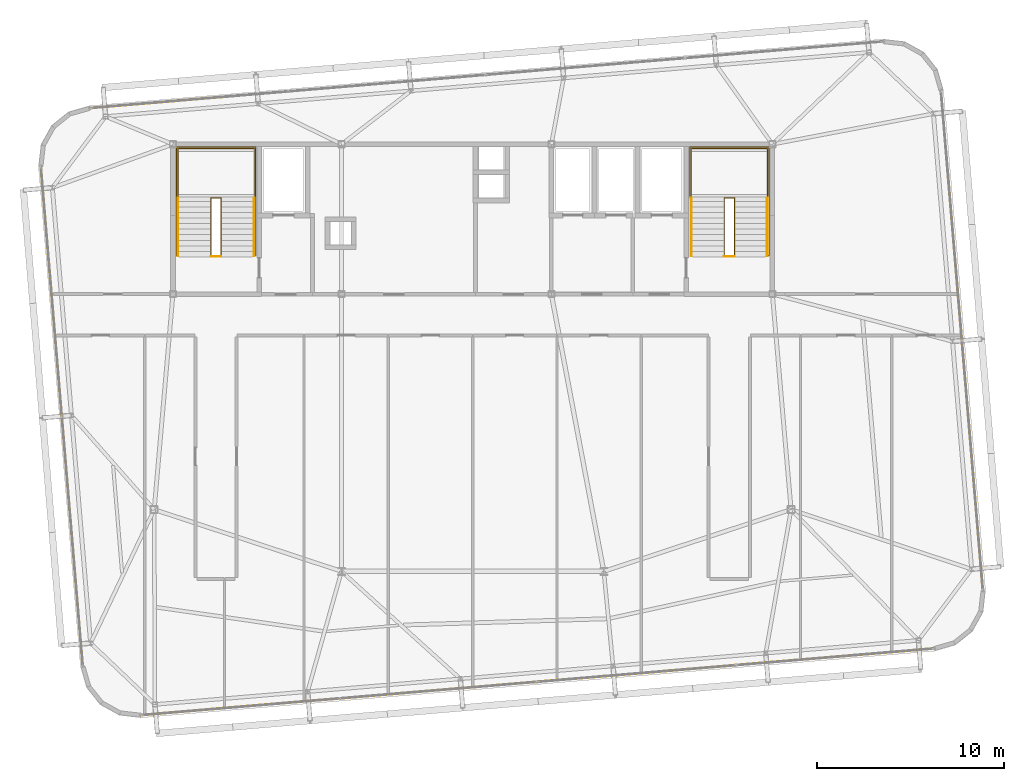
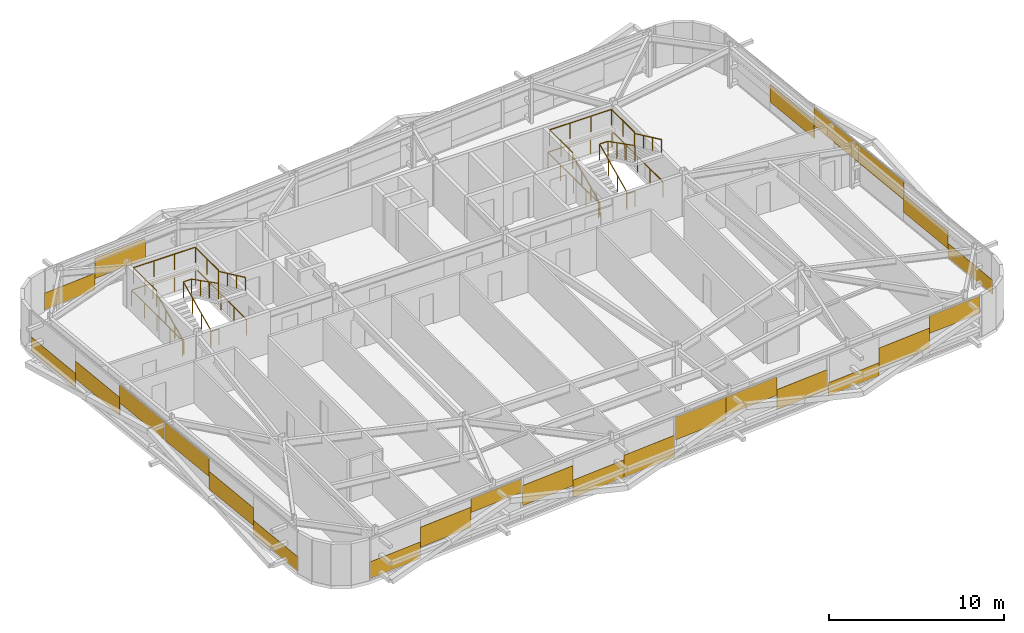
# One storey, part 38 of 39: 25 coverings, 12 railings.
"""IFC4 building model written with IfcOpenShell, lengths in metres."""

from ifc_helpers import new_model, si_unit, direction, frame, origin, origin_2d, place, context, subcontext, project, spatial, rectangle, extrude, source, transform, mapped, material, layer, layer_set, type_object, element, save


model = new_model("IFC4")

# Units and contexts
model_context = context("Model", 3, precision=1e-05, world=origin(), true_north=direction((0.0, 1.0)))
body_context = subcontext(model_context, "Body", "Model", "MODEL_VIEW")
ifc_project = project(units=[si_unit("LENGTHUNIT", "METRE"), si_unit("AREAUNIT", "SQUARE_METRE"), si_unit("VOLUMEUNIT", "CUBIC_METRE"), si_unit("PLANEANGLEUNIT", "RADIAN"), si_unit("MASSUNIT", "GRAM", prefix="KILO")], contexts=[model_context])

# Site, building, storey
site_placement = place(None, origin())
site = spatial("IfcSite", under=ifc_project, at=site_placement, CompositionType="ELEMENT")
building_placement = place(site_placement, origin())
building = spatial("IfcBuilding", under=site, at=building_placement, Name="Taldren Reach Tower", CompositionType="ELEMENT")
storey_placement = place(building_placement, frame((0.0, 0.0, 204.050048828125)))
storey = spatial("IfcBuildingStorey", under=building, at=storey_placement, Name="L62", CompositionType="ELEMENT", Elevation=204.050048828125)

# Railings
ifc_material_1 = material(Name="Steel Gr 350 (C350L0)", Category="steel")
ifc_layer_1 = layer(ifc_material_1, 0.050048828125)
ifc_layer_set_1 = layer_set([ifc_layer_1], Name="Steel Gr 350 (C350L0)")
railing_type_1 = type_object("IfcRailingType", Name="RL-STAIR-GR", PredefinedType="GUARDRAIL", material=ifc_layer_set_1)
railing_1_placement = place(storey_placement, frame((19.260009765625, 29.135009765625, 1.574951171875)))
element("IfcRailing", 1, at=railing_1_placement, inside=storey, type_object=railing_type_1, Name="Stair half-landing perimeter guard ST1-L62", PredefinedType="GUARDRAIL", context=body_context, shape_type="SweptSolid", body=[
    extrude(rectangle(XDim=0.047852, YDim=0.047852, at=origin_2d()), frame((0.0, 0.0, 1.09619140625), z_axis=(0.0, 1.0, 0.0), x_axis=(-1.0, 0.0, 0.0)), (0.0, 0.0, 1.0), 2.64501953125),
    extrude(rectangle(XDim=0.047852, YDim=0.047852, at=origin_2d()), frame((0.0, 2.64501953125, 1.09619140625), z_axis=(1.0, 0.0, 0.0), x_axis=(0.0, 1.0, 0.0)), (0.0, 0.0, 1.0), 4.080078125),
    extrude(rectangle(XDim=0.047852, YDim=0.047852, at=origin_2d()), frame((4.080078125, 2.64501953125, 1.09619140625), z_axis=(0.0, -1.0, 0.0), x_axis=(1.0, 0.0, 0.0)), (0.0, 0.0, 1.0), 2.64501953125),
    extrude(rectangle(XDim=0.041992, YDim=0.041992, at=origin_2d()), origin(), (0.0, 0.0, 1.0), 1.072021484375),
    extrude(rectangle(XDim=0.041992, YDim=0.041992, at=origin_2d()), frame((0.0, 1.322509765625, 0.0)), (0.0, 0.0, 1.0), 1.072021484375),
    extrude(rectangle(XDim=0.041992, YDim=0.041992, at=origin_2d()), frame((0.0, 2.64501953125, 0.0)), (0.0, 0.0, 1.0), 1.072021484375),
    extrude(rectangle(XDim=0.041992, YDim=0.041992, at=origin_2d()), frame((1.360107421875, 2.64501953125, 0.0)), (0.0, 0.0, 1.0), 1.072021484375),
    extrude(rectangle(XDim=0.041992, YDim=0.041992, at=origin_2d()), frame((2.719970703125, 2.64501953125, 0.0)), (0.0, 0.0, 1.0), 1.072021484375),
    extrude(rectangle(XDim=0.041992, YDim=0.041992, at=origin_2d()), frame((4.080078125, 2.64501953125, 0.0)), (0.0, 0.0, 1.0), 1.072021484375),
    extrude(rectangle(XDim=0.041992, YDim=0.041992, at=origin_2d()), frame((4.080078125, 1.322509765625, 0.0)), (0.0, 0.0, 1.0), 1.072021484375),
    extrude(rectangle(XDim=0.041992, YDim=0.041992, at=origin_2d()), frame((4.080078125, 0.0, 0.0)), (0.0, 0.0, 1.0), 1.072021484375),
])
railing_2_placement = place(storey_placement, frame((21.030029296875, 26.050048828125, 0.13134765625)))
element("IfcRailing", 2, at=railing_2_placement, inside=storey, type_object=railing_type_1, Name="Stairwell inner guard ST1-L62", PredefinedType="GUARDRAIL", context=body_context, shape_type="SweptSolid", body=[
    extrude(rectangle(XDim=0.047852, YDim=0.047852, at=origin_2d()), frame((0.0, 0.0, 1.09619140625), z_axis=(0.0, 0.905737652094, 0.423838773095), x_axis=(-1.0, 0.0, 0.0)), (0.0, 0.0, 1.0), 3.406005859375),
    extrude(rectangle(XDim=0.047852, YDim=0.047852, at=origin_2d()), frame((0.0, 3.0849609375, 2.53955078125), z_axis=(1.0, 0.0, 0.0), x_axis=(0.0, 1.0, 0.0)), (0.0, 0.0, 1.0), 0.5400390625),
    extrude(rectangle(XDim=0.047852, YDim=0.047852, at=origin_2d()), frame((0.5400390625, 3.0849609375, 2.53955078125), z_axis=(0.0, -0.890645957773, 0.45469745755), x_axis=(1.0, 0.0, 0.0)), (0.0, 0.0, 1.0), 3.463623046875),
    extrude(rectangle(XDim=0.041992, YDim=0.041992, at=origin_2d()), origin(), (0.0, 0.0, 1.0), 1.072021484375),
    extrude(rectangle(XDim=0.041992, YDim=0.041992, at=origin_2d()), frame((0.0, 1.0283203125, 0.481201171875)), (0.0, 0.0, 1.0), 1.072021484375),
    extrude(rectangle(XDim=0.041992, YDim=0.041992, at=origin_2d()), frame((0.0, 2.056640625, 0.96240234375)), (0.0, 0.0, 1.0), 1.072021484375),
    extrude(rectangle(XDim=0.041992, YDim=0.041992, at=origin_2d()), frame((0.0, 3.0849609375, 1.443603515625)), (0.0, 0.0, 1.0), 1.072021484375),
    extrude(rectangle(XDim=0.041992, YDim=0.041992, at=origin_2d()), frame((0.5400390625, 3.0849609375, 1.443603515625)), (0.0, 0.0, 1.0), 1.072021484375),
    extrude(rectangle(XDim=0.041992, YDim=0.041992, at=origin_2d()), frame((0.5400390625, 2.056640625, 1.968505859375)), (0.0, 0.0, 1.0), 1.072021484375),
    extrude(rectangle(XDim=0.041992, YDim=0.041992, at=origin_2d()), frame((0.5400390625, 1.0283203125, 2.49365234375)), (0.0, 0.0, 1.0), 1.072021484375),
    extrude(rectangle(XDim=0.041992, YDim=0.041992, at=origin_2d()), frame((0.5400390625, 0.0, 3.0185546875)), (0.0, 0.0, 1.0), 1.072021484375),
])
railing_3_placement = place(storey_placement, frame((21.030029296875, 26.010009765625, 0.0)))
element("IfcRailing", 3, at=railing_3_placement, inside=storey, type_object=railing_type_1, Name="Stairwell landing slot guard ST1-L62", PredefinedType="GUARDRAIL", context=body_context, shape_type="SweptSolid", body=[
    extrude(rectangle(XDim=0.047852, YDim=0.047852, at=origin_2d()), frame((0.0, 0.0, 1.09619140625), z_axis=(1.0, 0.0, 0.0), x_axis=(0.0, 1.0, 0.0)), (0.0, 0.0, 1.0), 0.5400390625),
    extrude(rectangle(XDim=0.041992, YDim=0.041992, at=origin_2d()), origin(), (0.0, 0.0, 1.0), 1.072021484375),
    extrude(rectangle(XDim=0.041992, YDim=0.041992, at=origin_2d()), frame((0.5400390625, 0.0, 0.0)), (0.0, 0.0, 1.0), 1.072021484375),
])
railing_4_placement = place(storey_placement, frame((19.18994140625, 26.050048828125, 0.0)))
element("IfcRailing", 4, at=railing_4_placement, inside=storey, type_object=railing_type_1, Name="Stairwell floor opening guard ST1-L62", PredefinedType="GUARDRAIL", context=body_context, shape_type="SweptSolid", body=[
    extrude(rectangle(XDim=0.047852, YDim=0.047852, at=origin_2d()), frame((0.0, 0.0, 1.09619140625), z_axis=(0.0, 1.0, 0.0), x_axis=(-1.0, 0.0, 0.0)), (0.0, 0.0, 1.0), 5.800048828125),
    extrude(rectangle(XDim=0.047852, YDim=0.047852, at=origin_2d()), frame((0.0, 5.800048828125, 1.09619140625), z_axis=(1.0, 0.0, 0.0), x_axis=(0.0, 1.0, 0.0)), (0.0, 0.0, 1.0), 4.219970703125),
    extrude(rectangle(XDim=0.047852, YDim=0.047852, at=origin_2d()), frame((4.219970703125, 5.800048828125, 1.09619140625), z_axis=(0.0, -1.0, 0.0), x_axis=(1.0, 0.0, 0.0)), (0.0, 0.0, 1.0), 5.800048828125),
    extrude(rectangle(XDim=0.041992, YDim=0.041992, at=origin_2d()), origin(), (0.0, 0.0, 1.0), 1.072021484375),
    extrude(rectangle(XDim=0.041992, YDim=0.041992, at=origin_2d()), frame((0.0, 1.449951171875, 0.0)), (0.0, 0.0, 1.0), 1.072021484375),
    extrude(rectangle(XDim=0.041992, YDim=0.041992, at=origin_2d()), frame((0.0, 2.89990234375, 0.0)), (0.0, 0.0, 1.0), 1.072021484375),
    extrude(rectangle(XDim=0.041992, YDim=0.041992, at=origin_2d()), frame((0.0, 4.35009765625, 0.0)), (0.0, 0.0, 1.0), 1.072021484375),
    extrude(rectangle(XDim=0.041992, YDim=0.041992, at=origin_2d()), frame((0.0, 5.800048828125, 0.0)), (0.0, 0.0, 1.0), 1.072021484375),
    extrude(rectangle(XDim=0.041992, YDim=0.041992, at=origin_2d()), frame((1.40673828125, 5.800048828125, 0.0)), (0.0, 0.0, 1.0), 1.072021484375),
    extrude(rectangle(XDim=0.041992, YDim=0.041992, at=origin_2d()), frame((2.813232421875, 5.800048828125, 0.0)), (0.0, 0.0, 1.0), 1.072021484375),
    extrude(rectangle(XDim=0.041992, YDim=0.041992, at=origin_2d()), frame((4.219970703125, 5.800048828125, 0.0)), (0.0, 0.0, 1.0), 1.072021484375),
    extrude(rectangle(XDim=0.041992, YDim=0.041992, at=origin_2d()), frame((4.219970703125, 4.35009765625, 0.0)), (0.0, 0.0, 1.0), 1.072021484375),
    extrude(rectangle(XDim=0.041992, YDim=0.041992, at=origin_2d()), frame((4.219970703125, 2.89990234375, 0.0)), (0.0, 0.0, 1.0), 1.072021484375),
    extrude(rectangle(XDim=0.041992, YDim=0.041992, at=origin_2d()), frame((4.219970703125, 1.449951171875, 0.0)), (0.0, 0.0, 1.0), 1.072021484375),
    extrude(rectangle(XDim=0.041992, YDim=0.041992, at=origin_2d()), frame((4.219970703125, 0.0, 0.0)), (0.0, 0.0, 1.0), 1.072021484375),
])
railing_5_placement = place(storey_placement, frame((46.659912109375, 29.135009765625, 1.574951171875)))
element("IfcRailing", 5, at=railing_5_placement, inside=storey, type_object=railing_type_1, Name="Stair half-landing perimeter guard ST2-L62", PredefinedType="GUARDRAIL", context=body_context, shape_type="SweptSolid", body=[
    extrude(rectangle(XDim=0.047852, YDim=0.047852, at=origin_2d()), frame((0.0, 0.0, 1.09619140625), z_axis=(0.0, 1.0, 0.0), x_axis=(-1.0, 0.0, 0.0)), (0.0, 0.0, 1.0), 2.64501953125),
    extrude(rectangle(XDim=0.047852, YDim=0.047852, at=origin_2d()), frame((0.0, 2.64501953125, 1.09619140625), z_axis=(1.0, 0.0, 0.0), x_axis=(0.0, 1.0, 0.0)), (0.0, 0.0, 1.0), 4.080078125),
    extrude(rectangle(XDim=0.047852, YDim=0.047852, at=origin_2d()), frame((4.080078125, 2.64501953125, 1.09619140625), z_axis=(0.0, -1.0, 0.0), x_axis=(1.0, 0.0, 0.0)), (0.0, 0.0, 1.0), 2.64501953125),
    extrude(rectangle(XDim=0.041992, YDim=0.041992, at=origin_2d()), origin(), (0.0, 0.0, 1.0), 1.072021484375),
    extrude(rectangle(XDim=0.041992, YDim=0.041992, at=origin_2d()), frame((0.0, 1.322509765625, 0.0)), (0.0, 0.0, 1.0), 1.072021484375),
    extrude(rectangle(XDim=0.041992, YDim=0.041992, at=origin_2d()), frame((0.0, 2.64501953125, 0.0)), (0.0, 0.0, 1.0), 1.072021484375),
    extrude(rectangle(XDim=0.041992, YDim=0.041992, at=origin_2d()), frame((1.360107421875, 2.64501953125, 0.0)), (0.0, 0.0, 1.0), 1.072021484375),
    extrude(rectangle(XDim=0.041992, YDim=0.041992, at=origin_2d()), frame((2.719970703125, 2.64501953125, 0.0)), (0.0, 0.0, 1.0), 1.072021484375),
    extrude(rectangle(XDim=0.041992, YDim=0.041992, at=origin_2d()), frame((4.080078125, 2.64501953125, 0.0)), (0.0, 0.0, 1.0), 1.072021484375),
    extrude(rectangle(XDim=0.041992, YDim=0.041992, at=origin_2d()), frame((4.080078125, 1.322509765625, 0.0)), (0.0, 0.0, 1.0), 1.072021484375),
    extrude(rectangle(XDim=0.041992, YDim=0.041992, at=origin_2d()), frame((4.080078125, 0.0, 0.0)), (0.0, 0.0, 1.0), 1.072021484375),
])
railing_6_placement = place(storey_placement, frame((48.429931640625, 26.050048828125, 0.13134765625)))
element("IfcRailing", 6, at=railing_6_placement, inside=storey, type_object=railing_type_1, Name="Stairwell inner guard ST2-L62", PredefinedType="GUARDRAIL", context=body_context, shape_type="SweptSolid", body=[
    extrude(rectangle(XDim=0.047852, YDim=0.047852, at=origin_2d()), frame((0.0, 0.0, 1.09619140625), z_axis=(0.0, 0.905737652094, 0.423838773095), x_axis=(-1.0, 0.0, 0.0)), (0.0, 0.0, 1.0), 3.406005859375),
    extrude(rectangle(XDim=0.047852, YDim=0.047852, at=origin_2d()), frame((0.0, 3.0849609375, 2.53955078125), z_axis=(1.0, 0.0, 0.0), x_axis=(0.0, 1.0, 0.0)), (0.0, 0.0, 1.0), 0.5400390625),
    extrude(rectangle(XDim=0.047852, YDim=0.047852, at=origin_2d()), frame((0.5400390625, 3.0849609375, 2.53955078125), z_axis=(0.0, -0.890645957773, 0.45469745755), x_axis=(1.0, 0.0, 0.0)), (0.0, 0.0, 1.0), 3.463623046875),
    extrude(rectangle(XDim=0.041992, YDim=0.041992, at=origin_2d()), origin(), (0.0, 0.0, 1.0), 1.072021484375),
    extrude(rectangle(XDim=0.041992, YDim=0.041992, at=origin_2d()), frame((0.0, 1.0283203125, 0.481201171875)), (0.0, 0.0, 1.0), 1.072021484375),
    extrude(rectangle(XDim=0.041992, YDim=0.041992, at=origin_2d()), frame((0.0, 2.056640625, 0.96240234375)), (0.0, 0.0, 1.0), 1.072021484375),
    extrude(rectangle(XDim=0.041992, YDim=0.041992, at=origin_2d()), frame((0.0, 3.0849609375, 1.443603515625)), (0.0, 0.0, 1.0), 1.072021484375),
    extrude(rectangle(XDim=0.041992, YDim=0.041992, at=origin_2d()), frame((0.5400390625, 3.0849609375, 1.443603515625)), (0.0, 0.0, 1.0), 1.072021484375),
    extrude(rectangle(XDim=0.041992, YDim=0.041992, at=origin_2d()), frame((0.5400390625, 2.056640625, 1.968505859375)), (0.0, 0.0, 1.0), 1.072021484375),
    extrude(rectangle(XDim=0.041992, YDim=0.041992, at=origin_2d()), frame((0.5400390625, 1.0283203125, 2.49365234375)), (0.0, 0.0, 1.0), 1.072021484375),
    extrude(rectangle(XDim=0.041992, YDim=0.041992, at=origin_2d()), frame((0.5400390625, 0.0, 3.0185546875)), (0.0, 0.0, 1.0), 1.072021484375),
])
railing_7_placement = place(storey_placement, frame((48.429931640625, 26.010009765625, 0.0)))
element("IfcRailing", 7, at=railing_7_placement, inside=storey, type_object=railing_type_1, Name="Stairwell landing slot guard ST2-L62", PredefinedType="GUARDRAIL", context=body_context, shape_type="SweptSolid", body=[
    extrude(rectangle(XDim=0.047852, YDim=0.047852, at=origin_2d()), frame((0.0, 0.0, 1.09619140625), z_axis=(1.0, 0.0, 0.0), x_axis=(0.0, 1.0, 0.0)), (0.0, 0.0, 1.0), 0.5400390625),
    extrude(rectangle(XDim=0.041992, YDim=0.041992, at=origin_2d()), origin(), (0.0, 0.0, 1.0), 1.072021484375),
    extrude(rectangle(XDim=0.041992, YDim=0.041992, at=origin_2d()), frame((0.5400390625, 0.0, 0.0)), (0.0, 0.0, 1.0), 1.072021484375),
])
railing_8_placement = place(storey_placement, frame((46.590087890625, 26.050048828125, 0.0)))
element("IfcRailing", 8, at=railing_8_placement, inside=storey, type_object=railing_type_1, Name="Stairwell floor opening guard ST2-L62", PredefinedType="GUARDRAIL", context=body_context, shape_type="SweptSolid", body=[
    extrude(rectangle(XDim=0.047852, YDim=0.047852, at=origin_2d()), frame((0.0, 0.0, 1.09619140625), z_axis=(0.0, 1.0, 0.0), x_axis=(-1.0, 0.0, 0.0)), (0.0, 0.0, 1.0), 5.800048828125),
    extrude(rectangle(XDim=0.047852, YDim=0.047852, at=origin_2d()), frame((0.0, 5.800048828125, 1.09619140625), z_axis=(1.0, 0.0, 0.0), x_axis=(0.0, 1.0, 0.0)), (0.0, 0.0, 1.0), 4.219970703125),
    extrude(rectangle(XDim=0.047852, YDim=0.047852, at=origin_2d()), frame((4.219970703125, 5.800048828125, 1.09619140625), z_axis=(0.0, -1.0, 0.0), x_axis=(1.0, 0.0, 0.0)), (0.0, 0.0, 1.0), 5.800048828125),
    extrude(rectangle(XDim=0.041992, YDim=0.041992, at=origin_2d()), origin(), (0.0, 0.0, 1.0), 1.072021484375),
    extrude(rectangle(XDim=0.041992, YDim=0.041992, at=origin_2d()), frame((0.0, 1.449951171875, 0.0)), (0.0, 0.0, 1.0), 1.072021484375),
    extrude(rectangle(XDim=0.041992, YDim=0.041992, at=origin_2d()), frame((0.0, 2.89990234375, 0.0)), (0.0, 0.0, 1.0), 1.072021484375),
    extrude(rectangle(XDim=0.041992, YDim=0.041992, at=origin_2d()), frame((0.0, 4.35009765625, 0.0)), (0.0, 0.0, 1.0), 1.072021484375),
    extrude(rectangle(XDim=0.041992, YDim=0.041992, at=origin_2d()), frame((0.0, 5.800048828125, 0.0)), (0.0, 0.0, 1.0), 1.072021484375),
    extrude(rectangle(XDim=0.041992, YDim=0.041992, at=origin_2d()), frame((1.40673828125, 5.800048828125, 0.0)), (0.0, 0.0, 1.0), 1.072021484375),
    extrude(rectangle(XDim=0.041992, YDim=0.041992, at=origin_2d()), frame((2.813232421875, 5.800048828125, 0.0)), (0.0, 0.0, 1.0), 1.072021484375),
    extrude(rectangle(XDim=0.041992, YDim=0.041992, at=origin_2d()), frame((4.219970703125, 5.800048828125, 0.0)), (0.0, 0.0, 1.0), 1.072021484375),
    extrude(rectangle(XDim=0.041992, YDim=0.041992, at=origin_2d()), frame((4.219970703125, 4.35009765625, 0.0)), (0.0, 0.0, 1.0), 1.072021484375),
    extrude(rectangle(XDim=0.041992, YDim=0.041992, at=origin_2d()), frame((4.219970703125, 2.89990234375, 0.0)), (0.0, 0.0, 1.0), 1.072021484375),
    extrude(rectangle(XDim=0.041992, YDim=0.041992, at=origin_2d()), frame((4.219970703125, 1.449951171875, 0.0)), (0.0, 0.0, 1.0), 1.072021484375),
    extrude(rectangle(XDim=0.041992, YDim=0.041992, at=origin_2d()), frame((4.219970703125, 0.0, 0.0)), (0.0, 0.0, 1.0), 1.072021484375),
])
ifc_material_2 = material(Name="Stainless Steel Gr 316", Category="steel")
ifc_layer_2 = layer(ifc_material_2, 0.048095703125)
ifc_layer_set_2 = layer_set([ifc_layer_2], Name="Stainless Steel Gr 316")
railing_type_2 = type_object("IfcRailingType", Name="RL-STAIR-HR", PredefinedType="HANDRAIL", material=ifc_layer_set_2)
railing_9_placement = place(storey_placement, frame((19.27001953125, 26.050048828125, 0.13134765625)))
element("IfcRailing", 9, at=railing_9_placement, inside=storey, type_object=railing_type_2, Name="Stair flight handrail ST1-L62-1", PredefinedType="HANDRAIL", context=body_context, shape_type="SweptSolid", body=[
    extrude(rectangle(XDim=0.047852, YDim=0.047852, at=origin_2d()), frame((0.0, 0.0, 0.89599609375), z_axis=(0.0, 0.905737652094, 0.423838773095), x_axis=(-1.0, 0.0, 0.0)), (0.0, 0.0, 1.0), 3.406005859375),
    extrude(rectangle(XDim=0.041992, YDim=0.041992, at=origin_2d()), origin(), (0.0, 0.0, 1.0), 0.871826171875),
    extrude(rectangle(XDim=0.041992, YDim=0.041992, at=origin_2d()), frame((0.0, 1.0283203125, 0.481201171875)), (0.0, 0.0, 1.0), 0.871826171875),
    extrude(rectangle(XDim=0.041992, YDim=0.041992, at=origin_2d()), frame((0.0, 2.056640625, 0.96240234375)), (0.0, 0.0, 1.0), 0.871826171875),
    extrude(rectangle(XDim=0.041992, YDim=0.041992, at=origin_2d()), frame((0.0, 3.0849609375, 1.443603515625)), (0.0, 0.0, 1.0), 0.871826171875),
])
railing_10_placement = place(storey_placement, frame((23.330078125, 29.135009765625, 1.7060546875)))
element("IfcRailing", 10, at=railing_10_placement, inside=storey, type_object=railing_type_2, Name="Stair flight handrail ST1-L62-2", PredefinedType="HANDRAIL", context=body_context, shape_type="SweptSolid", body=[
    extrude(rectangle(XDim=0.047852, YDim=0.047852, at=origin_2d()), frame((0.0, 0.0, 0.89599609375), z_axis=(0.0, -0.905710134349, 0.423897573167), x_axis=(1.0, 0.0, 0.0)), (0.0, 0.0, 1.0), 3.406005859375),
    extrude(rectangle(XDim=0.041992, YDim=0.041992, at=origin_2d()), origin(), (0.0, 0.0, 1.0), 0.871826171875),
    extrude(rectangle(XDim=0.041992, YDim=0.041992, at=origin_2d()), frame((0.0, -1.0283203125, 0.481201171875)), (0.0, 0.0, 1.0), 0.871826171875),
    extrude(rectangle(XDim=0.041992, YDim=0.041992, at=origin_2d()), frame((0.0, -2.056640625, 0.962646484375)), (0.0, 0.0, 1.0), 0.871826171875),
    extrude(rectangle(XDim=0.041992, YDim=0.041992, at=origin_2d()), frame((0.0, -3.0849609375, 1.44384765625)), (0.0, 0.0, 1.0), 0.871826171875),
])
railing_11_placement = place(storey_placement, frame((46.669921875, 26.050048828125, 0.13134765625)))
element("IfcRailing", 11, at=railing_11_placement, inside=storey, type_object=railing_type_2, Name="Stair flight handrail ST2-L62-1", PredefinedType="HANDRAIL", context=body_context, shape_type="SweptSolid", body=[
    extrude(rectangle(XDim=0.047852, YDim=0.047852, at=origin_2d()), frame((0.0, 0.0, 0.89599609375), z_axis=(0.0, 0.905737652094, 0.423838773095), x_axis=(-1.0, 0.0, 0.0)), (0.0, 0.0, 1.0), 3.406005859375),
    extrude(rectangle(XDim=0.041992, YDim=0.041992, at=origin_2d()), origin(), (0.0, 0.0, 1.0), 0.871826171875),
    extrude(rectangle(XDim=0.041992, YDim=0.041992, at=origin_2d()), frame((0.0, 1.0283203125, 0.481201171875)), (0.0, 0.0, 1.0), 0.871826171875),
    extrude(rectangle(XDim=0.041992, YDim=0.041992, at=origin_2d()), frame((0.0, 2.056640625, 0.96240234375)), (0.0, 0.0, 1.0), 0.871826171875),
    extrude(rectangle(XDim=0.041992, YDim=0.041992, at=origin_2d()), frame((0.0, 3.0849609375, 1.443603515625)), (0.0, 0.0, 1.0), 0.871826171875),
])
railing_12_placement = place(storey_placement, frame((50.72998046875, 29.135009765625, 1.7060546875)))
element("IfcRailing", 12, at=railing_12_placement, inside=storey, type_object=railing_type_2, Name="Stair flight handrail ST2-L62-2", PredefinedType="HANDRAIL", context=body_context, shape_type="SweptSolid", body=[
    extrude(rectangle(XDim=0.047852, YDim=0.047852, at=origin_2d()), frame((0.0, 0.0, 0.89599609375), z_axis=(0.0, -0.905710134349, 0.423897573167), x_axis=(1.0, 0.0, 0.0)), (0.0, 0.0, 1.0), 3.406005859375),
    extrude(rectangle(XDim=0.041992, YDim=0.041992, at=origin_2d()), origin(), (0.0, 0.0, 1.0), 0.871826171875),
    extrude(rectangle(XDim=0.041992, YDim=0.041992, at=origin_2d()), frame((0.0, -1.0283203125, 0.481201171875)), (0.0, 0.0, 1.0), 0.871826171875),
    extrude(rectangle(XDim=0.041992, YDim=0.041992, at=origin_2d()), frame((0.0, -2.056640625, 0.962646484375)), (0.0, 0.0, 1.0), 0.871826171875),
    extrude(rectangle(XDim=0.041992, YDim=0.041992, at=origin_2d()), frame((0.0, -3.0849609375, 1.44384765625)), (0.0, 0.0, 1.0), 0.871826171875),
])

# Coverings
ifc_material_3 = material(Name="Pale Champagne Fluoropolymer Aluminium Spandrel Cladding", Category="aluminium")
ifc_layer_3 = layer(ifc_material_3, 0.0439453125)
ifc_layer_set_3 = layer_set([ifc_layer_3], Name="Pale Champagne Fluoropolymer Aluminium Spandrel Cladding")
covering_type = type_object("IfcCoveringType", Name="CV-CLAD-044", PredefinedType="CLADDING", material=ifc_layer_set_3)
shared_shape_1 = source(origin(), body_context, "Body", "SweptSolid", [
    extrude(rectangle(XDim=3.506591796875, YDim=0.0439453125, at=origin_2d()), origin(), (0.0, 0.0, 1.0), 1.156982421875),
])
for number, where, z_axis, x_axis, name in (
    (13, (19.10205078125, 1.67138671875, 0.06005859375), (0.0, 0.0, 1.0), (0.996492854922, 0.083677894865, 0.0), "Diagrid closure cladding strip CW-5 panel 1.1 1"),
    (14, (16.380859375, 34.077392578125, 0.06005859375), (0.0, 0.0, 1.0), (-0.99649285657, -0.083677875247, 0.0), "Diagrid closure cladding strip CW-5 panel 4.1 3"),
):
    element("IfcCovering", number, at=place(storey_placement, frame(where, z_axis=z_axis, x_axis=x_axis)), inside=storey, type_object=covering_type, Name=name, PredefinedType="CLADDING", context=body_context, shape_type="MappedRepresentation", body=[
        mapped(shared_shape_1, transform((0.0, 0.0, 0.0), scale=1.0)),
    ])
shared_shape_2 = source(origin(), body_context, "Body", "SweptSolid", [
    extrude(rectangle(XDim=3.506591796875, YDim=0.0439453125, at=origin_2d()), origin(), (0.0, 0.0, 1.0), 1.40087890625),
])
for number, where, z_axis, x_axis, name in (
    (15, (22.596435546875, 1.96484375, 0.83203125), (0.0, 0.0, 1.0), (0.996492854922, 0.083677894865, 0.0), "Diagrid closure cladding strip CW-5 panel 1.1 2"),
    (16, (54.32470703125, 4.629150390625, 0.5771484375), (0.0, 0.0, 1.0), (0.996492854922, 0.083677894865, 0.0), "Diagrid closure cladding strip CW-5 panel 4.1 2"),
    (17, (19.875244140625, 34.370849609375, 0.83203125), (0.0, 0.0, 1.0), (-0.99649285657, -0.083677875247, 0.0), "Diagrid closure cladding strip CW-5 panel 4.1 2"),
):
    element("IfcCovering", number, at=place(storey_placement, frame(where, z_axis=z_axis, x_axis=x_axis)), inside=storey, type_object=covering_type, Name=name, PredefinedType="CLADDING", context=body_context, shape_type="MappedRepresentation", body=[
        mapped(shared_shape_2, transform((0.0, 0.0, 0.0), scale=1.0)),
    ])
shared_shape_3 = source(origin(), body_context, "Body", "SweptSolid", [
    extrude(rectangle(XDim=3.506591796875, YDim=0.0439453125, at=origin_2d()), origin(), (0.0, 0.0, 1.0), 0.9619140625),
])
covering_1_placement = place(storey_placement, frame((26.0908203125, 2.25830078125, 1.84814453125), z_axis=(0.0, 0.0, 1.0), x_axis=(0.996492854922, 0.083677894865, 0.0)))
element("IfcCovering", 18, at=covering_1_placement, inside=storey, type_object=covering_type, Name="Diagrid closure cladding strip CW-5 panel 1.1 3", PredefinedType="CLADDING", context=body_context, shape_type="MappedRepresentation", body=[
    mapped(shared_shape_3, transform((0.0, 0.0, 0.0), scale=1.0)),
])
shared_shape_4 = source(origin(), body_context, "Body", "SweptSolid", [
    extrude(rectangle(XDim=3.518310546875, YDim=0.0439453125, at=origin_2d()), origin(), (0.0, 0.0, 1.0), 1.404296875),
])
for number, where, z_axis, x_axis, name in (
    (19, (29.66064453125, 2.55810546875, 0.891357421875), (0.0, 0.0, 1.0), (0.996492854922, 0.083677894865, 0.0), "Diagrid closure cladding strip CW-5 panel 2.1 1"),
    (20, (47.260498046875, 4.035888671875, 0.51416015625), (0.0, 0.0, 1.0), (0.996492854922, 0.083677894865, 0.0), "Diagrid closure cladding strip CW-5 panel 3.1 3"),
):
    element("IfcCovering", number, at=place(storey_placement, frame(where, z_axis=z_axis, x_axis=x_axis)), inside=storey, type_object=covering_type, Name=name, PredefinedType="CLADDING", context=body_context, shape_type="MappedRepresentation", body=[
        mapped(shared_shape_4, transform((0.0, 0.0, 0.0), scale=1.0)),
    ])
shared_shape_5 = source(origin(), body_context, "Body", "SweptSolid", [
    extrude(rectangle(XDim=3.518310546875, YDim=0.0439453125, at=origin_2d()), origin(), (0.0, 0.0, 1.0), 1.21630859375),
])
covering_2_placement = place(storey_placement, frame((33.166748046875, 2.8525390625, 0.06005859375), z_axis=(0.0, 0.0, 1.0), x_axis=(0.996492854922, 0.083677894865, 0.0)))
element("IfcCovering", 21, at=covering_2_placement, inside=storey, type_object=covering_type, Name="Diagrid closure cladding strip CW-5 panel 2.1 2", PredefinedType="CLADDING", context=body_context, shape_type="MappedRepresentation", body=[
    mapped(shared_shape_5, transform((0.0, 0.0, 0.0), scale=1.0)),
])
shared_shape_6 = source(origin(), body_context, "Body", "SweptSolid", [
    extrude(rectangle(XDim=3.518310546875, YDim=0.0439453125, at=origin_2d()), origin(), (0.0, 0.0, 1.0), 1.52734375),
])
covering_3_placement = place(storey_placement, frame((36.672607421875, 3.14697265625, 0.059814453125), z_axis=(0.0, 0.0, 1.0), x_axis=(0.996492854922, 0.083677894865, 0.0)))
element("IfcCovering", 22, at=covering_3_placement, inside=storey, type_object=covering_type, Name="Diagrid closure cladding strip CW-5 panel 2.1 3", PredefinedType="CLADDING", context=body_context, shape_type="MappedRepresentation", body=[
    mapped(shared_shape_6, transform((0.0, 0.0, 0.0), scale=1.0)),
])
shared_shape_7 = source(origin(), body_context, "Body", "SweptSolid", [
    extrude(rectangle(XDim=3.518310546875, YDim=0.0439453125, at=origin_2d()), origin(), (0.0, 0.0, 1.0), 1.587158203125),
])
covering_4_placement = place(storey_placement, frame((40.24853515625, 3.447265625, 1.22265625), z_axis=(0.0, 0.0, 1.0), x_axis=(0.996492854922, 0.083677894865, 0.0)))
element("IfcCovering", 23, at=covering_4_placement, inside=storey, type_object=covering_type, Name="Diagrid closure cladding strip CW-5 panel 3.1 1", PredefinedType="CLADDING", context=body_context, shape_type="MappedRepresentation", body=[
    mapped(shared_shape_7, transform((0.0, 0.0, 0.0), scale=1.0)),
])
shared_shape_8 = source(origin(), body_context, "Body", "SweptSolid", [
    extrude(rectangle(XDim=3.518310546875, YDim=0.0439453125, at=origin_2d()), origin(), (0.0, 0.0, 1.0), 1.2763671875),
])
covering_5_placement = place(storey_placement, frame((43.75439453125, 3.741455078125, 1.53369140625), z_axis=(0.0, 0.0, 1.0), x_axis=(0.996492854922, 0.083677894865, 0.0)))
element("IfcCovering", 24, at=covering_5_placement, inside=storey, type_object=covering_type, Name="Diagrid closure cladding strip CW-5 panel 3.1 2", PredefinedType="CLADDING", context=body_context, shape_type="MappedRepresentation", body=[
    mapped(shared_shape_8, transform((0.0, 0.0, 0.0), scale=1.0)),
])
shared_shape_9 = source(origin(), body_context, "Body", "SweptSolid", [
    extrude(rectangle(XDim=3.506591796875, YDim=0.0439453125, at=origin_2d()), origin(), (0.0, 0.0, 1.0), 0.90185546875),
])
covering_6_placement = place(storey_placement, frame((50.830322265625, 4.335693359375, 0.06005859375), z_axis=(0.0, 0.0, 1.0), x_axis=(0.996492854922, 0.083677894865, 0.0)))
element("IfcCovering", 25, at=covering_6_placement, inside=storey, type_object=covering_type, Name="Diagrid closure cladding strip CW-5 panel 4.1 1", PredefinedType="CLADDING", context=body_context, shape_type="MappedRepresentation", body=[
    mapped(shared_shape_9, transform((0.0, 0.0, 0.0), scale=1.0)),
])
shared_shape_10 = source(origin(), body_context, "Body", "SweptSolid", [
    extrude(rectangle(XDim=3.506591796875, YDim=0.0439453125, at=origin_2d()), origin(), (0.0, 0.0, 1.0), 1.216796875),
])
covering_7_placement = place(storey_placement, frame((57.819091796875, 4.922607421875, 1.593017578125), z_axis=(0.0, 0.0, 1.0), x_axis=(0.996492854922, 0.083677894865, 0.0)))
element("IfcCovering", 26, at=covering_7_placement, inside=storey, type_object=covering_type, Name="Diagrid closure cladding strip CW-5 panel 4.1 3", PredefinedType="CLADDING", context=body_context, shape_type="MappedRepresentation", body=[
    mapped(shared_shape_10, transform((0.0, 0.0, 0.0), scale=1.0)),
])
shared_shape_11 = source(origin(), body_context, "Body", "SweptSolid", [
    extrude(rectangle(XDim=4.431640625, YDim=0.0439453125, at=origin_2d()), origin(), (0.0, 0.0, 1.0), 0.98974609375),
])
for number, where, z_axis, x_axis, name in (
    (27, (12.14453125, 28.5576171875, 0.06005859375), (0.0, 0.0, 1.0), (0.083677979808, -0.996492847789, 0.0), "Diagrid closure cladding strip CW-5 panel 1.1 1"),
    (28, (14.004638671875, 6.4072265625, 0.06005859375), (0.0, 0.0, 1.0), (0.083677979808, -0.996492847789, 0.0), "Diagrid closure cladding strip CW-5 panel 2.1 3"),
    (29, (62.055419921875, 10.4423828125, 0.06005859375), (0.0, 0.0, 1.0), (-0.083677979808, 0.996492847789, 0.0), "Diagrid closure cladding strip CW-5 panel 1.1 1"),
):
    element("IfcCovering", number, at=place(storey_placement, frame(where, z_axis=z_axis, x_axis=x_axis)), inside=storey, type_object=covering_type, Name=name, PredefinedType="CLADDING", context=body_context, shape_type="MappedRepresentation", body=[
        mapped(shared_shape_11, transform((0.0, 0.0, 0.0), scale=1.0)),
    ])
shared_shape_12 = source(origin(), body_context, "Body", "SweptSolid", [
    extrude(rectangle(XDim=4.431640625, YDim=0.0439453125, at=origin_2d()), origin(), (0.0, 0.0, 1.0), 1.237548828125),
])
for number, where, z_axis, x_axis, name in (
    (30, (12.515380859375, 24.1416015625, 0.6728515625), (0.0, 0.0, 1.0), (0.083677979808, -0.996492847789, 0.0), "Diagrid closure cladding strip CW-5 panel 1.1 2"),
    (31, (13.6337890625, 10.823486328125, 0.6728515625), (0.0, 0.0, 1.0), (0.083677979808, -0.996492847789, 0.0), "Diagrid closure cladding strip CW-5 panel 2.1 2"),
    (32, (61.6845703125, 14.8583984375, 0.6728515625), (0.0, 0.0, 1.0), (-0.083677979808, 0.996492847789, 0.0), "Diagrid closure cladding strip CW-5 panel 1.1 2"),
    (33, (60.566162109375, 28.176513671875, 0.6728515625), (0.0, 0.0, 1.0), (-0.083677979808, 0.996492847789, 0.0), "Diagrid closure cladding strip CW-5 panel 2.1 2"),
):
    element("IfcCovering", number, at=place(storey_placement, frame(where, z_axis=z_axis, x_axis=x_axis)), inside=storey, type_object=covering_type, Name=name, PredefinedType="CLADDING", context=body_context, shape_type="MappedRepresentation", body=[
        mapped(shared_shape_12, transform((0.0, 0.0, 0.0), scale=1.0)),
    ])
shared_shape_13 = source(origin(), body_context, "Body", "SweptSolid", [
    extrude(rectangle(XDim=4.431640625, YDim=0.0439453125, at=origin_2d()), origin(), (0.0, 0.0, 1.0), 1.276123046875),
])
for number, where, z_axis, x_axis, name in (
    (34, (12.88623046875, 19.7255859375, 1.53369140625), (0.0, 0.0, 1.0), (0.083677979808, -0.996492847789, 0.0), "Diagrid closure cladding strip CW-5 panel 1.1 3"),
    (35, (13.262939453125, 15.239501953125, 1.53369140625), (0.0, 0.0, 1.0), (0.083677979808, -0.996492847789, 0.0), "Diagrid closure cladding strip CW-5 panel 2.1 1"),
    (36, (61.313720703125, 19.2744140625, 1.53369140625), (0.0, 0.0, 1.0), (-0.083677979808, 0.996492847789, 0.0), "Diagrid closure cladding strip CW-5 panel 1.1 3"),
    (37, (60.93701171875, 23.760498046875, 1.53369140625), (0.0, 0.0, 1.0), (-0.083677979808, 0.996492847789, 0.0), "Diagrid closure cladding strip CW-5 panel 2.1 1"),
):
    element("IfcCovering", number, at=place(storey_placement, frame(where, z_axis=z_axis, x_axis=x_axis)), inside=storey, type_object=covering_type, Name=name, PredefinedType="CLADDING", context=body_context, shape_type="MappedRepresentation", body=[
        mapped(shared_shape_13, transform((0.0, 0.0, 0.0), scale=1.0)),
    ])

save(model, "model.ifc")
